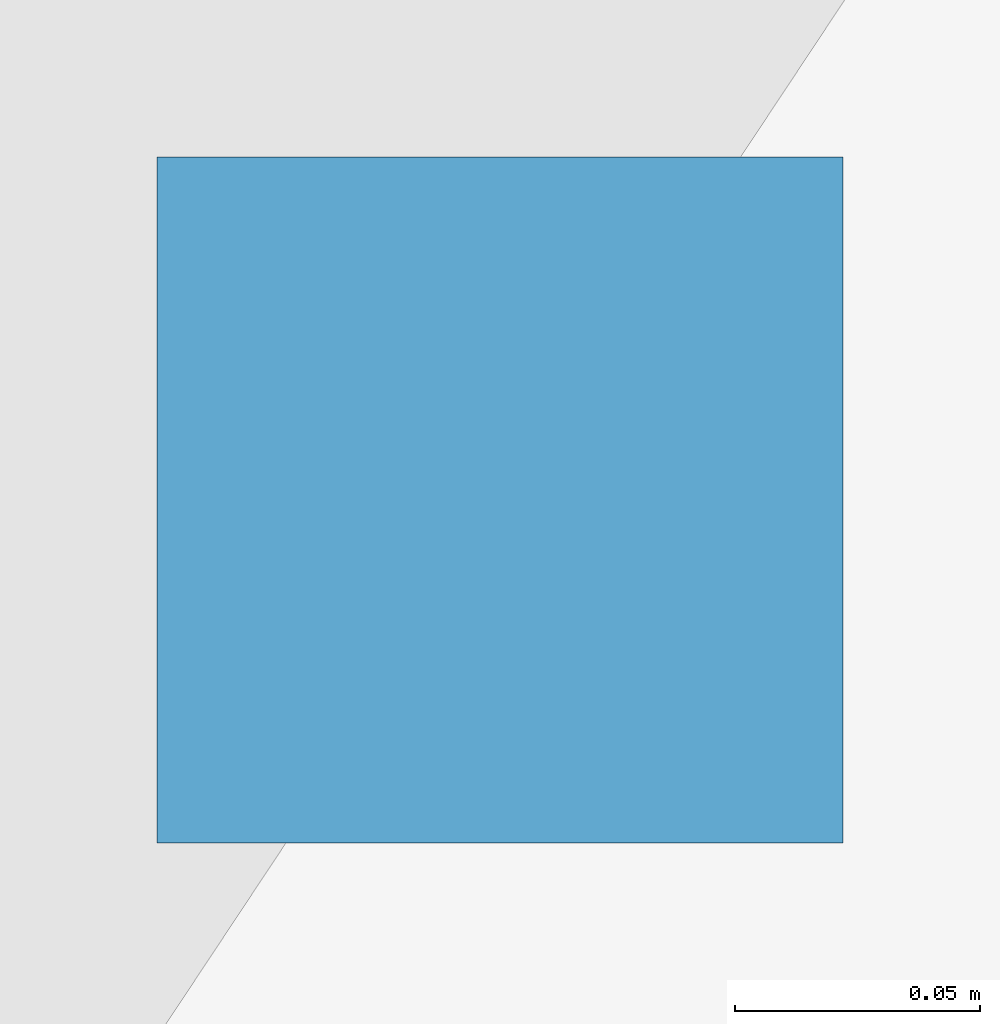
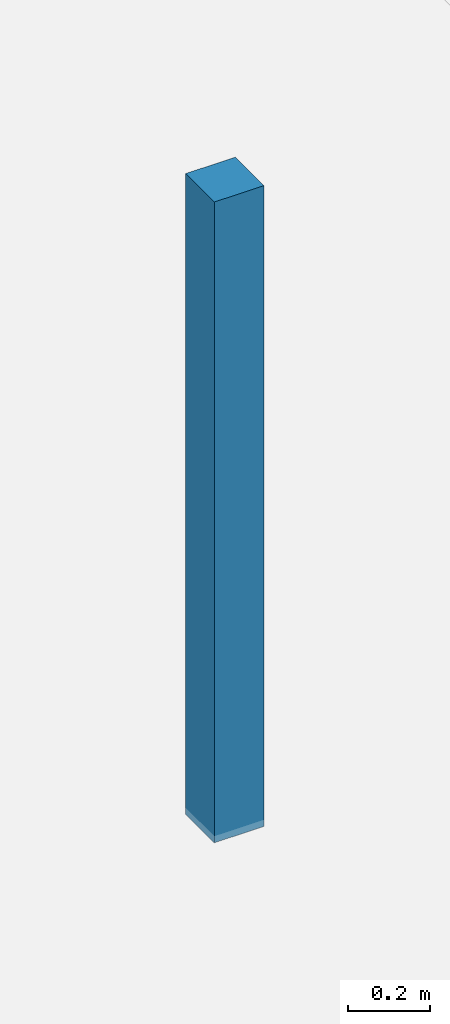
# One storey, part 37 of 47: 1 discrete accessory.
"""IFC4 building model written with IfcOpenShell, lengths in metres."""

from ifc_helpers import new_model, si_unit, direction, frame, origin, origin_2d, place, context, subcontext, project, spatial, rectangle, extrude, material, type_object, element, save


model = new_model("IFC4")

# Units and contexts
model_context = context("Model", 3, precision=1e-05, world=origin(), true_north=direction((0.0, 1.0)))
body_context = subcontext(model_context, "Body", "Model", "MODEL_VIEW")
ifc_project = project(units=[si_unit("LENGTHUNIT", "METRE"), si_unit("AREAUNIT", "SQUARE_METRE"), si_unit("VOLUMEUNIT", "CUBIC_METRE"), si_unit("PLANEANGLEUNIT", "RADIAN"), si_unit("MASSUNIT", "GRAM", prefix="KILO")], contexts=[model_context])

# Site, building, storey
site_placement = place(None, origin())
site = spatial("IfcSite", under=ifc_project, at=site_placement, CompositionType="ELEMENT")
building_placement = place(site_placement, origin())
building = spatial("IfcBuilding", under=site, at=building_placement, Name="Qorvath Tower", CompositionType="ELEMENT")
storey_placement = place(building_placement, frame((0.0, 0.0, 12.0)))
storey = spatial("IfcBuildingStorey", under=building, at=storey_placement, Name="L02", CompositionType="ELEMENT", Elevation=12.0)

# Discrete accessory
ifc_material = material(Name="Galvanised steel bracket", Category="steel")
discrete_accessory_type = type_object("IfcDiscreteAccessoryType", Name="DA-BRACKET", PredefinedType="BRACKET", material=ifc_material)
discrete_accessory_placement = place(storey_placement, frame((-14.25244140625, 23.357421875, 2.85986328125), z_axis=(0.0, 0.0, 1.0), x_axis=(1.0, 0.0, 0.0)))
element("IfcDiscreteAccessory", 1, at=discrete_accessory_placement, inside=storey, type_object=discrete_accessory_type, Name="Acoustic Ceiling Suspension Hanger T1-L02-009", PredefinedType="NOTDEFINED", context=body_context, shape_type="SweptSolid", body=[
    extrude(rectangle(XDim=0.139892578125, YDim=0.139892578125, at=origin_2d()), origin(), (0.0, 0.0, 1.0), 1.909912109375),
])

save(model, "model.ifc")
